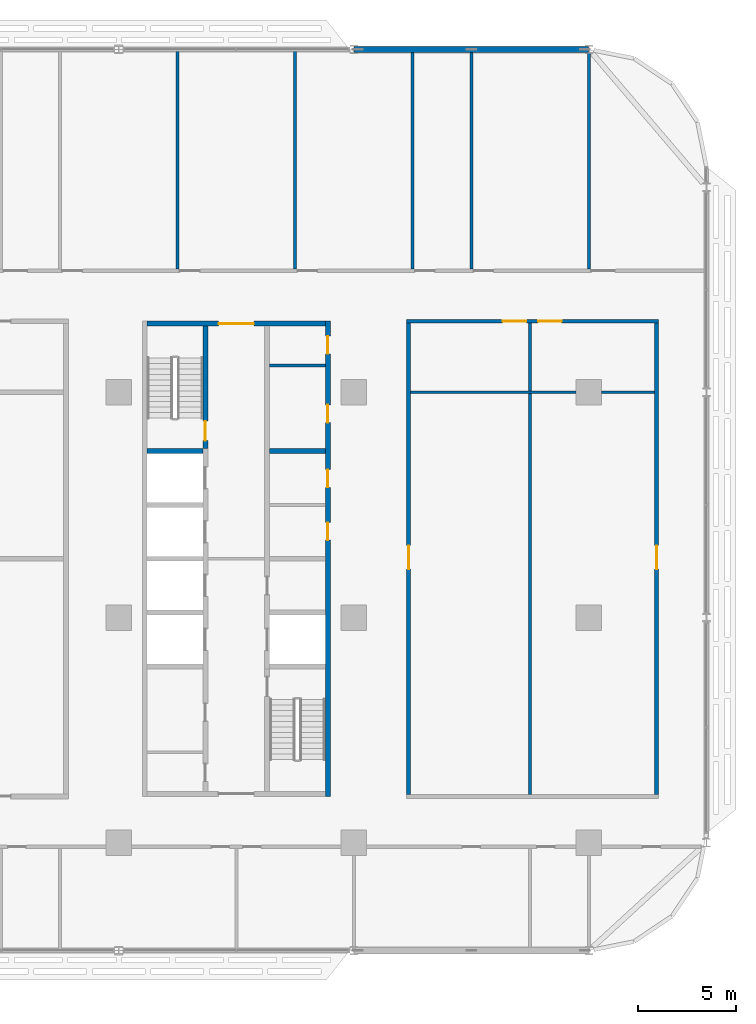
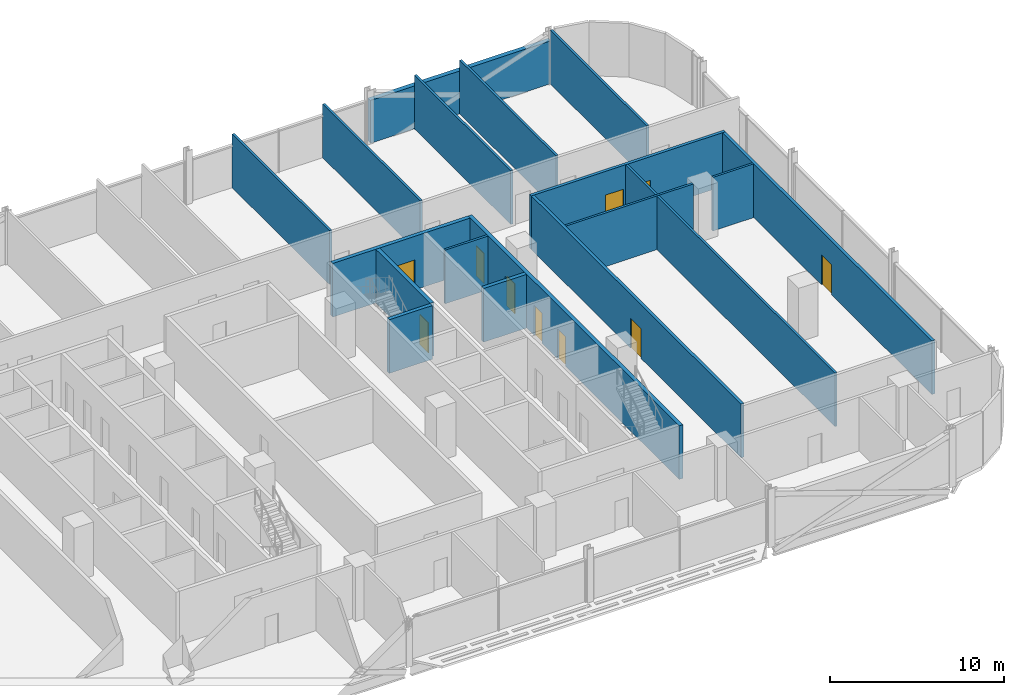
# One storey, part 18 of 29: 18 walls, 10 doors, 10 openings.
"""IFC4 building model written with IfcOpenShell, lengths in metres."""

from ifc_helpers import new_model, si_unit, direction, frame, frame_2d, origin, place, context, subcontext, project, spatial, rectangle, extrude, material, layer, layer_set, type_object, element, fill, save


model = new_model("IFC4")

# Units and contexts
model_context = context("Model", 3, precision=1e-05, world=origin(), true_north=direction((0.0, 1.0)))
body_context = subcontext(model_context, "Body", "Model", "MODEL_VIEW")
ifc_project = project(units=[si_unit("LENGTHUNIT", "METRE"), si_unit("AREAUNIT", "SQUARE_METRE"), si_unit("VOLUMEUNIT", "CUBIC_METRE"), si_unit("PLANEANGLEUNIT", "RADIAN"), si_unit("MASSUNIT", "GRAM", prefix="KILO")], contexts=[model_context])

# Site, building, storey
site_placement = place(None, origin())
site = spatial("IfcSite", under=ifc_project, at=site_placement, CompositionType="ELEMENT")
building_placement = place(site_placement, origin())
building = spatial("IfcBuilding", under=site, at=building_placement, Name="Mahtab Terrace Research Tower", CompositionType="ELEMENT")
storey_placement = place(building_placement, frame((0.0, 0.0, 142.5)))
storey = spatial("IfcBuildingStorey", under=building, at=storey_placement, Name="L33", CompositionType="ELEMENT", Elevation=142.5)

# Wall
ifc_material_1 = material(Name="Gypsum board partition")
ifc_layer_1 = layer(ifc_material_1, 0.14990234375)
ifc_layer_set_1 = layer_set([ifc_layer_1], Name="Core partition 150")
wall_type_1 = type_object("IfcWallType", Name="Core partition 150", PredefinedType="PARTITIONING", material=ifc_layer_set_1)
wall_1_placement = place(storey_placement, frame((25.699951171875, 12.875, 0.0), z_axis=(0.0, 0.0, 1.0), x_axis=(1.0, 0.0, 0.0)))
element("IfcWall", 1, at=wall_1_placement, inside=storey, type_object=wall_type_1, Name="Core wall C pEN988", PredefinedType="PARTITIONING", context=body_context, shape_type="SweptSolid", body=[
    extrude(rectangle(XDim=2.85009765625, YDim=0.14990234375, at=frame_2d((1.425048828125, 0.0))), origin(), (0.0, 0.0, 1.0), 3.760009765625),
])

# Wall, openings, doors
ifc_material_2 = material(Name="Concrete C70/85", Category="concrete")
ifc_layer_2 = layer(ifc_material_2, 0.25)
ifc_layer_set_2 = layer_set([ifc_layer_2], Name="Core wall 250")
wall_type_2 = type_object("IfcWallType", Name="Core wall 250", PredefinedType="SOLIDWALL", material=ifc_layer_set_2)
wall_2_placement = place(storey_placement, frame((28.675048828125, -9.125, 0.0), z_axis=(0.0, 0.0, 1.0), x_axis=(0.0, 1.0, 0.0)))
wall_2 = element("IfcWall", 2, at=wall_2_placement, inside=storey, type_object=wall_type_2, Name="Core wall C outerE", PredefinedType="SOLIDWALL", context=body_context, shape_type="SweptSolid", body=[
    extrude(rectangle(XDim=24.25, YDim=0.25, at=frame_2d((12.125, 0.0))), origin(), (0.0, 0.0, 1.0), 3.760009765625),
])
opening_1_placement = place(wall_2_placement, frame((13.074951171875, 0.0, 0.0)))
opening_1 = element("IfcOpeningElement", 3, at=opening_1_placement, cuts=wall_2, Name="Opening C-R2", PredefinedType="OPENING", context=body_context, shape_type="SweptSolid", body=[
    extrude(rectangle(XDim=0.89990234375, YDim=2.10009765625, at=frame_2d((0.449951171875, 1.050048828125))), frame((0.0, 0.135009765625, 0.0), z_axis=(0.0, -1.0, 0.0), x_axis=(1.0, 0.0, 0.0)), (0.0, 0.0, 1.0), 0.27001953125),
])
opening_2_placement = place(wall_2_placement, frame((15.77490234375, 0.0, 0.0)))
opening_2 = element("IfcOpeningElement", 4, at=opening_2_placement, cuts=wall_2, Name="Opening C-R3", PredefinedType="OPENING", context=body_context, shape_type="SweptSolid", body=[
    extrude(rectangle(XDim=0.89990234375, YDim=2.10009765625, at=frame_2d((0.449951171875, 1.050048828125))), frame((0.0, 0.135009765625, 0.0), z_axis=(0.0, -1.0, 0.0), x_axis=(1.0, 0.0, 0.0)), (0.0, 0.0, 1.0), 0.27001953125),
])
opening_3_placement = place(wall_2_placement, frame((19.074951171875, 0.0, 0.0)))
opening_3 = element("IfcOpeningElement", 5, at=opening_3_placement, cuts=wall_2, Name="Opening C-R6", PredefinedType="OPENING", context=body_context, shape_type="SweptSolid", body=[
    extrude(rectangle(XDim=0.89990234375, YDim=2.10009765625, at=frame_2d((0.449951171875, 1.050048828125))), frame((0.0, 0.135009765625, 0.0), z_axis=(0.0, -1.0, 0.0), x_axis=(1.0, 0.0, 0.0)), (0.0, 0.0, 1.0), 0.27001953125),
])
opening_4_placement = place(wall_2_placement, frame((22.58740234375, 0.0, 0.0)))
opening_4 = element("IfcOpeningElement", 6, at=opening_4_placement, cuts=wall_2, Name="Opening C-R7", PredefinedType="OPENING", context=body_context, shape_type="SweptSolid", body=[
    extrude(rectangle(XDim=0.89990234375, YDim=2.10009765625, at=frame_2d((0.449951171875, 1.050048828125))), frame((0.0, 0.135009765625, 0.0), z_axis=(0.0, -1.0, 0.0), x_axis=(1.0, 0.0, 0.0)), (0.0, 0.0, 1.0), 0.27001953125),
])
ifc_material_3 = material(Name="Steel fire door", Category="steel")
door_type_1 = type_object("IfcDoorType", Name="Room door 900x2100 1 HR", OperationType="NOTDEFINED", PredefinedType="DOOR", material=ifc_material_3)
door_1_placement = place(opening_1_placement, origin())
door_1 = element("IfcDoor", 7, at=door_1_placement, inside=storey, type_object=door_type_1, Name="Document store door", OperationType="SINGLE_SWING_RIGHT", OverallHeight=2.10009765625, OverallWidth=0.89990234375, PredefinedType="DOOR", context=body_context, shape_type="SweptSolid", body=[
    extrude(rectangle(XDim=0.89990234375, YDim=2.10009765625, at=frame_2d((0.449951171875, 1.050048828125))), frame((0.0, 0.02490234375, 0.0), z_axis=(0.0, -1.0, 0.0), x_axis=(1.0, 0.0, 0.0)), (0.0, 0.0, 1.0), 0.050048828125),
])
fill(opening_1, door_1)
door_2_placement = place(opening_2_placement, origin())
door_2 = element("IfcDoor", 8, at=door_2_placement, inside=storey, type_object=door_type_1, Name="IT equipment room door", OperationType="SINGLE_SWING_LEFT", OverallHeight=2.10009765625, OverallWidth=0.89990234375, PredefinedType="DOOR", context=body_context, shape_type="SweptSolid", body=[
    extrude(rectangle(XDim=0.89990234375, YDim=2.10009765625, at=frame_2d((0.449951171875, 1.050048828125))), frame((0.0, 0.02490234375, 0.0), z_axis=(0.0, -1.0, 0.0), x_axis=(1.0, 0.0, 0.0)), (0.0, 0.0, 1.0), 0.050048828125),
])
fill(opening_2, door_2)
door_3_placement = place(opening_3_placement, origin())
door_3 = element("IfcDoor", 9, at=door_3_placement, inside=storey, type_object=door_type_1, Name="IT equipment room door", OperationType="SINGLE_SWING_RIGHT", OverallHeight=2.10009765625, OverallWidth=0.89990234375, PredefinedType="DOOR", context=body_context, shape_type="SweptSolid", body=[
    extrude(rectangle(XDim=0.89990234375, YDim=2.10009765625, at=frame_2d((0.449951171875, 1.050048828125))), frame((0.0, 0.02490234375, 0.0), z_axis=(0.0, -1.0, 0.0), x_axis=(1.0, 0.0, 0.0)), (0.0, 0.0, 1.0), 0.050048828125),
])
fill(opening_3, door_3)
door_4_placement = place(opening_4_placement, origin())
door_4 = element("IfcDoor", 10, at=door_4_placement, inside=storey, type_object=door_type_1, Name="Electrical riser room door", OperationType="SINGLE_SWING_LEFT", OverallHeight=2.10009765625, OverallWidth=0.89990234375, PredefinedType="DOOR", context=body_context, shape_type="SweptSolid", body=[
    extrude(rectangle(XDim=0.89990234375, YDim=2.10009765625, at=frame_2d((0.449951171875, 1.050048828125))), frame((0.0, 0.02490234375, 0.0), z_axis=(0.0, -1.0, 0.0), x_axis=(1.0, 0.0, 0.0)), (0.0, 0.0, 1.0), 0.050048828125),
])
fill(opening_4, door_4)

# Wall, opening, door
wall_3_placement = place(storey_placement, frame((19.449951171875, 15.0, 0.0), z_axis=(0.0, 0.0, 1.0), x_axis=(1.0, 0.0, 0.0)))
wall_3 = element("IfcWall", 11, at=wall_3_placement, inside=storey, type_object=wall_type_2, Name="Core wall C endN", PredefinedType="SOLIDWALL", context=body_context, shape_type="SweptSolid", body=[
    extrude(rectangle(XDim=9.10009765625, YDim=0.25, at=frame_2d((4.550048828125, 0.0))), origin(), (0.0, 0.0, 1.0), 3.760009765625),
])
opening_5_placement = place(wall_3_placement, frame((3.64990234375, 0.0, 0.0)))
opening_5 = element("IfcOpeningElement", 12, at=opening_5_placement, cuts=wall_3, Name="Opening C-N1", PredefinedType="OPENING", context=body_context, shape_type="SweptSolid", body=[
    extrude(rectangle(XDim=1.800048828125, YDim=2.10009765625, at=frame_2d((0.89990234375, 1.050048828125))), frame((0.0, 0.135009765625, 0.0), z_axis=(0.0, -1.0, 0.0), x_axis=(1.0, 0.0, 0.0)), (0.0, 0.0, 1.0), 0.27001953125),
])
door_type_2 = type_object("IfcDoorType", Name="Lobby double door 1800x2100 1 HR", OperationType="DOUBLE_DOOR_SINGLE_SWING", PredefinedType="DOOR", material=ifc_material_3)
door_5_placement = place(opening_5_placement, origin())
door_5 = element("IfcDoor", 13, at=door_5_placement, inside=storey, type_object=door_type_2, Name="Core entrance door C N", OperationType="DOUBLE_DOOR_SINGLE_SWING", OverallHeight=2.10009765625, OverallWidth=1.800048828125, PredefinedType="DOOR", context=body_context, shape_type="SweptSolid", body=[
    extrude(rectangle(XDim=1.800048828125, YDim=2.10009765625, at=frame_2d((0.89990234375, 1.050048828125))), frame((0.0, 0.02490234375, 0.0), z_axis=(0.0, -1.0, 0.0), x_axis=(1.0, 0.0, 0.0)), (0.0, 0.0, 1.0), 0.050048828125),
])
fill(opening_5, door_5)

wall_4_placement = place(storey_placement, frame((22.425048828125, 14.875, 0.0), z_axis=(0.0, 0.0, 1.0), x_axis=(0.0, -1.0, 0.0)))
wall_4 = element("IfcWall", 14, at=wall_4_placement, inside=storey, type_object=wall_type_2, Name="Core wall C innerWN", PredefinedType="SOLIDWALL", context=body_context, shape_type="SweptSolid", body=[
    extrude(rectangle(XDim=6.25, YDim=0.25, at=frame_2d((3.125, 0.0))), origin(), (0.0, 0.0, 1.0), 3.760009765625),
])
opening_6_placement = place(wall_4_placement, frame((4.85009765625, 0.0, 0.0)))
opening_6 = element("IfcOpeningElement", 15, at=opening_6_placement, cuts=wall_4, Name="Opening C-ST3", PredefinedType="OPENING", context=body_context, shape_type="SweptSolid", body=[
    extrude(rectangle(XDim=1.0, YDim=2.10009765625, at=frame_2d((0.5, 1.050048828125))), frame((0.0, 0.135009765625, 0.0), z_axis=(0.0, -1.0, 0.0), x_axis=(1.0, 0.0, 0.0)), (0.0, 0.0, 1.0), 0.27001953125),
])
door_type_3 = type_object("IfcDoorType", Name="Stair door 1000x2100 1.5 HR", OperationType="NOTDEFINED", PredefinedType="DOOR", material=ifc_material_3)
door_6_placement = place(opening_6_placement, origin())
door_6 = element("IfcDoor", 16, at=door_6_placement, inside=storey, type_object=door_type_3, Name="Stair door ST3 L33", OperationType="SINGLE_SWING_RIGHT", OverallHeight=2.10009765625, OverallWidth=1.0, PredefinedType="DOOR", context=body_context, shape_type="SweptSolid", body=[
    extrude(rectangle(XDim=1.0, YDim=2.10009765625, at=frame_2d((0.5, 1.050048828125))), frame((0.0, 0.02490234375, 0.0), z_axis=(0.0, -1.0, 0.0), x_axis=(1.0, 0.0, 0.0)), (0.0, 0.0, 1.0), 0.050048828125),
])
fill(opening_6, door_6)

# Walls
for number, where, z_axis, x_axis, name in (
    (17, (19.449951171875, 8.5, 0.0), (0.0, 0.0, 1.0), (1.0, 0.0, 0.0), "Core wall C divW4"),
    (18, (25.699951171875, 8.5, 0.0), (0.0, 0.0, 1.0), (1.0, 0.0, 0.0), "Core wall C divE4"),
):
    element("IfcWall", number, at=place(storey_placement, frame(where, z_axis=z_axis, x_axis=x_axis)), inside=storey, type_object=wall_type_2, Name=name, PredefinedType="SOLIDWALL", context=body_context, shape_type="SweptSolid", body=[
        extrude(rectangle(XDim=2.85009765625, YDim=0.25, at=frame_2d((1.425048828125, 0.0))), origin(), (0.0, 0.0, 1.0), 3.760009765625),
    ])
ifc_material_4 = material(Name="Black aluminium cladding panel", Category="aluminium")
ifc_layer_3 = layer(ifc_material_4, 0.300048828125)
ifc_layer_set_3 = layer_set([ifc_layer_3], Name="Opaque facade wall 300")
wall_type_3 = type_object("IfcWallType", Name="Opaque facade wall 300", PredefinedType="NOTDEFINED", material=ifc_layer_set_3)
wall_5_placement = place(storey_placement, frame((41.982177734375, 29.0, 0.0), z_axis=(0.0, 0.0, 1.0), x_axis=(-1.0, 0.0, 0.0)))
element("IfcWall", 19, at=wall_5_placement, inside=storey, type_object=wall_type_3, Name="Opaque facade wall L33 N3", PredefinedType="NOTDEFINED", context=body_context, shape_type="SweptSolid", body=[
    extrude(rectangle(XDim=11.96435546875, YDim=0.300048828125, at=frame_2d((5.982177734375, 0.0))), origin(), (0.0, 0.0, 1.0), 3.003173828125),
])

# Wall, openings, doors
ifc_material_5 = material(Name="Gypsum board corridor wall on steel studs", Category="steel")
ifc_layer_4 = layer(ifc_material_5, 0.199951171875)
ifc_layer_set_4 = layer_set([ifc_layer_4], Name="WALL CORRIDOR 200")
wall_type_4 = type_object("IfcWallType", Name="WALL CORRIDOR 200", PredefinedType="PARTITIONING", material=ifc_layer_set_4)
wall_6_placement = place(storey_placement, frame((32.699951171875, 15.125, 0.0), z_axis=(0.0, 0.0, 1.0), x_axis=(1.0, 0.0, 0.0)))
wall_6 = element("IfcWall", 20, at=wall_6_placement, inside=storey, type_object=wall_type_4, Name="L33-W025", PredefinedType="PARTITIONING", context=body_context, shape_type="SweptSolid", body=[
    extrude(rectangle(XDim=12.85009765625, YDim=0.199951171875, at=frame_2d((6.425048828125, 0.0))), origin(), (0.0, 0.0, 1.0), 3.760009765625),
])
opening_7_placement = place(wall_6_placement, frame((4.89990234375, 0.0, 0.0)))
opening_7 = element("IfcOpeningElement", 21, at=opening_7_placement, cuts=wall_6, Name="Opening L33-127", PredefinedType="OPENING", context=body_context, shape_type="SweptSolid", body=[
    extrude(rectangle(XDim=1.199951171875, YDim=2.10009765625, at=frame_2d((0.60009765625, 1.050048828125))), frame((0.0, 0.10986328125, 0.0), z_axis=(0.0, -1.0, 0.0), x_axis=(1.0, 0.0, 0.0)), (0.0, 0.0, 1.0), 0.219970703125),
])
opening_8_placement = place(wall_6_placement, frame((6.699951171875, 0.0, 0.0)))
opening_8 = element("IfcOpeningElement", 22, at=opening_8_placement, cuts=wall_6, Name="Opening L33-128", PredefinedType="OPENING", context=body_context, shape_type="SweptSolid", body=[
    extrude(rectangle(XDim=1.199951171875, YDim=2.10009765625, at=frame_2d((0.60009765625, 1.050048828125))), frame((0.0, 0.10986328125, 0.0), z_axis=(0.0, -1.0, 0.0), x_axis=(1.0, 0.0, 0.0)), (0.0, 0.0, 1.0), 0.219970703125),
])
ifc_material_6 = material(Name="Timber door leaf in steel frame", Category="steel")
door_type_4 = type_object("IfcDoorType", Name="DOOR 1200X2100 FD30S", OperationType="SINGLE_SWING_LEFT", PredefinedType="DOOR", material=ifc_material_6)
door_7_placement = place(opening_7_placement, origin())
door_7 = element("IfcDoor", 23, at=door_7_placement, inside=storey, type_object=door_type_4, Name="Door L33-127", OperationType="SINGLE_SWING_RIGHT", OverallHeight=2.10009765625, OverallWidth=1.199951171875, PredefinedType="DOOR", context=body_context, shape_type="SweptSolid", body=[
    extrude(rectangle(XDim=1.199951171875, YDim=2.10009765625, at=frame_2d((0.60009765625, 1.050048828125))), frame((0.0, 0.02490234375, 0.0), z_axis=(0.0, -1.0, 0.0), x_axis=(1.0, 0.0, 0.0)), (0.0, 0.0, 1.0), 0.050048828125),
])
fill(opening_7, door_7)
door_8_placement = place(opening_8_placement, origin())
door_8 = element("IfcDoor", 24, at=door_8_placement, inside=storey, type_object=door_type_4, Name="Door L33-128", OperationType="SINGLE_SWING_LEFT", OverallHeight=2.10009765625, OverallWidth=1.199951171875, PredefinedType="DOOR", context=body_context, shape_type="SweptSolid", body=[
    extrude(rectangle(XDim=1.199951171875, YDim=2.10009765625, at=frame_2d((0.60009765625, 1.050048828125))), frame((0.0, 0.02490234375, 0.0), z_axis=(0.0, -1.0, 0.0), x_axis=(1.0, 0.0, 0.0)), (0.0, 0.0, 1.0), 0.050048828125),
])
fill(opening_8, door_8)

# Wall, opening, door
wall_7_placement = place(storey_placement, frame((32.800048828125, -9.02490234375, 0.0), z_axis=(0.0, 0.0, 1.0), x_axis=(0.0, 1.0, 0.0)))
wall_7 = element("IfcWall", 25, at=wall_7_placement, inside=storey, type_object=wall_type_4, Name="L33-W059", PredefinedType="PARTITIONING", context=body_context, shape_type="SweptSolid", body=[
    extrude(rectangle(XDim=24.0498046875, YDim=0.199951171875, at=frame_2d((12.02490234375, 0.0))), origin(), (0.0, 0.0, 1.0), 3.760009765625),
])
opening_9_placement = place(wall_7_placement, frame((11.5, 0.0, 0.0)))
opening_9 = element("IfcOpeningElement", 26, at=opening_9_placement, cuts=wall_7, Name="Opening L33-120", PredefinedType="OPENING", context=body_context, shape_type="SweptSolid", body=[
    extrude(rectangle(XDim=1.199951171875, YDim=2.10009765625, at=frame_2d((0.60009765625, 1.050048828125))), frame((0.0, 0.10986328125, 0.0), z_axis=(0.0, -1.0, 0.0), x_axis=(1.0, 0.0, 0.0)), (0.0, 0.0, 1.0), 0.219970703125),
])
door_9_placement = place(opening_9_placement, origin())
door_9 = element("IfcDoor", 27, at=door_9_placement, inside=storey, type_object=door_type_4, Name="Door L33-120", OperationType="SINGLE_SWING_LEFT", OverallHeight=2.10009765625, OverallWidth=1.199951171875, PredefinedType="DOOR", context=body_context, shape_type="SweptSolid", body=[
    extrude(rectangle(XDim=1.199951171875, YDim=2.10009765625, at=frame_2d((0.60009765625, 1.050048828125))), frame((0.0, 0.02490234375, 0.0), z_axis=(0.0, -1.0, 0.0), x_axis=(1.0, 0.0, 0.0)), (0.0, 0.0, 1.0), 0.050048828125),
])
fill(opening_9, door_9)

wall_8_placement = place(storey_placement, frame((45.449951171875, -9.02490234375, 0.0), z_axis=(0.0, 0.0, 1.0), x_axis=(0.0, 1.0, 0.0)))
wall_8 = element("IfcWall", 28, at=wall_8_placement, inside=storey, type_object=wall_type_4, Name="L33-W066", PredefinedType="PARTITIONING", context=body_context, shape_type="SweptSolid", body=[
    extrude(rectangle(XDim=24.0498046875, YDim=0.199951171875, at=frame_2d((12.02490234375, 0.0))), origin(), (0.0, 0.0, 1.0), 3.760009765625),
])
opening_10_placement = place(wall_8_placement, frame((11.5, 0.0, 0.0)))
opening_10 = element("IfcOpeningElement", 29, at=opening_10_placement, cuts=wall_8, Name="Opening L33-121", PredefinedType="OPENING", context=body_context, shape_type="SweptSolid", body=[
    extrude(rectangle(XDim=1.199951171875, YDim=2.10009765625, at=frame_2d((0.60009765625, 1.050048828125))), frame((0.0, 0.10986328125, 0.0), z_axis=(0.0, -1.0, 0.0), x_axis=(1.0, 0.0, 0.0)), (0.0, 0.0, 1.0), 0.219970703125),
])
door_10_placement = place(opening_10_placement, origin())
door_10 = element("IfcDoor", 30, at=door_10_placement, inside=storey, type_object=door_type_4, Name="Door L33-121", OperationType="SINGLE_SWING_RIGHT", OverallHeight=2.10009765625, OverallWidth=1.199951171875, PredefinedType="DOOR", context=body_context, shape_type="SweptSolid", body=[
    extrude(rectangle(XDim=1.199951171875, YDim=2.10009765625, at=frame_2d((0.60009765625, 1.050048828125))), frame((0.0, 0.02490234375, 0.0), z_axis=(0.0, -1.0, 0.0), x_axis=(1.0, 0.0, 0.0)), (0.0, 0.0, 1.0), 0.050048828125),
])
fill(opening_10, door_10)

# Walls
ifc_material_7 = material(Name="Gypsum board partition on steel studs", Category="steel")
ifc_layer_5 = layer(ifc_material_7, 0.14990234375)
ifc_layer_set_5 = layer_set([ifc_layer_5], Name="WALL PARTITION 150")
wall_type_5 = type_object("IfcWallType", Name="WALL PARTITION 150", PredefinedType="PARTITIONING", material=ifc_layer_set_5)
wall_9_placement = place(storey_placement, frame((32.89990234375, 11.5, 0.0), z_axis=(0.0, 0.0, 1.0), x_axis=(1.0, 0.0, 0.0)))
element("IfcWall", 31, at=wall_9_placement, inside=storey, type_object=wall_type_5, Name="L33-W020", PredefinedType="PARTITIONING", context=body_context, shape_type="SweptSolid", body=[
    extrude(rectangle(XDim=8.4501953125, YDim=0.14990234375, at=frame_2d((4.22509765625, 0.0))), origin(), (0.0, 0.0, 1.0), 3.760009765625),
])
wall_10_placement = place(storey_placement, frame((42.64990234375, 11.5, 0.0), z_axis=(0.0, 0.0, 1.0), x_axis=(1.0, 0.0, 0.0)))
element("IfcWall", 32, at=wall_10_placement, inside=storey, type_object=wall_type_5, Name="L33-W021", PredefinedType="PARTITIONING", context=body_context, shape_type="SweptSolid", body=[
    extrude(rectangle(XDim=2.7001953125, YDim=0.14990234375, at=frame_2d((1.35009765625, 0.0))), origin(), (0.0, 0.0, 1.0), 3.760009765625),
])
for number, where, z_axis, x_axis, name in (
    (33, (21.0, 17.800048828125, 0.0), (0.0, 0.0, 1.0), (0.0, 1.0, 0.0), "L33-W055"),
    (34, (27.0, 17.800048828125, 0.0), (0.0, 0.0, 1.0), (0.0, 1.0, 0.0), "L33-W057"),
):
    element("IfcWall", number, at=place(storey_placement, frame(where, z_axis=z_axis, x_axis=x_axis)), inside=storey, type_object=wall_type_5, Name=name, PredefinedType="PARTITIONING", context=body_context, shape_type="SweptSolid", body=[
        extrude(rectangle(XDim=11.175048828125, YDim=0.14990234375, at=frame_2d((5.58740234375, 0.0))), origin(), (0.0, 0.0, 1.0), 3.760009765625),
    ])
for number, where, z_axis, x_axis, name in (
    (35, (33.0, 17.800048828125, 0.0), (0.0, 0.0, 1.0), (0.0, 1.0, 0.0), "L33-W060"),
    (36, (36.0, 17.800048828125, 0.0), (0.0, 0.0, 1.0), (0.0, 1.0, 0.0), "L33-W061"),
):
    element("IfcWall", number, at=place(storey_placement, frame(where, z_axis=z_axis, x_axis=x_axis)), inside=storey, type_object=wall_type_5, Name=name, PredefinedType="PARTITIONING", context=body_context, shape_type="SweptSolid", body=[
        extrude(rectangle(XDim=11.050048828125, YDim=0.14990234375, at=frame_2d((5.52490234375, 0.0))), origin(), (0.0, 0.0, 1.0), 3.760009765625),
    ])
wall_11_placement = place(storey_placement, frame((39.0, -9.02490234375, 0.0), z_axis=(0.0, 0.0, 1.0), x_axis=(0.0, 1.0, 0.0)))
element("IfcWall", 37, at=wall_11_placement, inside=storey, type_object=wall_type_5, Name="L33-W063", PredefinedType="PARTITIONING", context=body_context, shape_type="SweptSolid", body=[
    extrude(rectangle(XDim=24.0498046875, YDim=0.14990234375, at=frame_2d((12.02490234375, 0.0))), origin(), (0.0, 0.0, 1.0), 3.760009765625),
])
wall_12_placement = place(storey_placement, frame((42.0, 17.800048828125, 0.0), z_axis=(0.0, 0.0, 1.0), x_axis=(0.0, 1.0, 0.0)))
element("IfcWall", 38, at=wall_12_placement, inside=storey, type_object=wall_type_5, Name="L33-W065", PredefinedType="PARTITIONING", context=body_context, shape_type="SweptSolid", body=[
    extrude(rectangle(XDim=11.047119140625, YDim=0.14990234375, at=frame_2d((5.5234375, 0.0))), origin(), (0.0, 0.0, 1.0), 3.760009765625),
])

save(model, "model.ifc")
